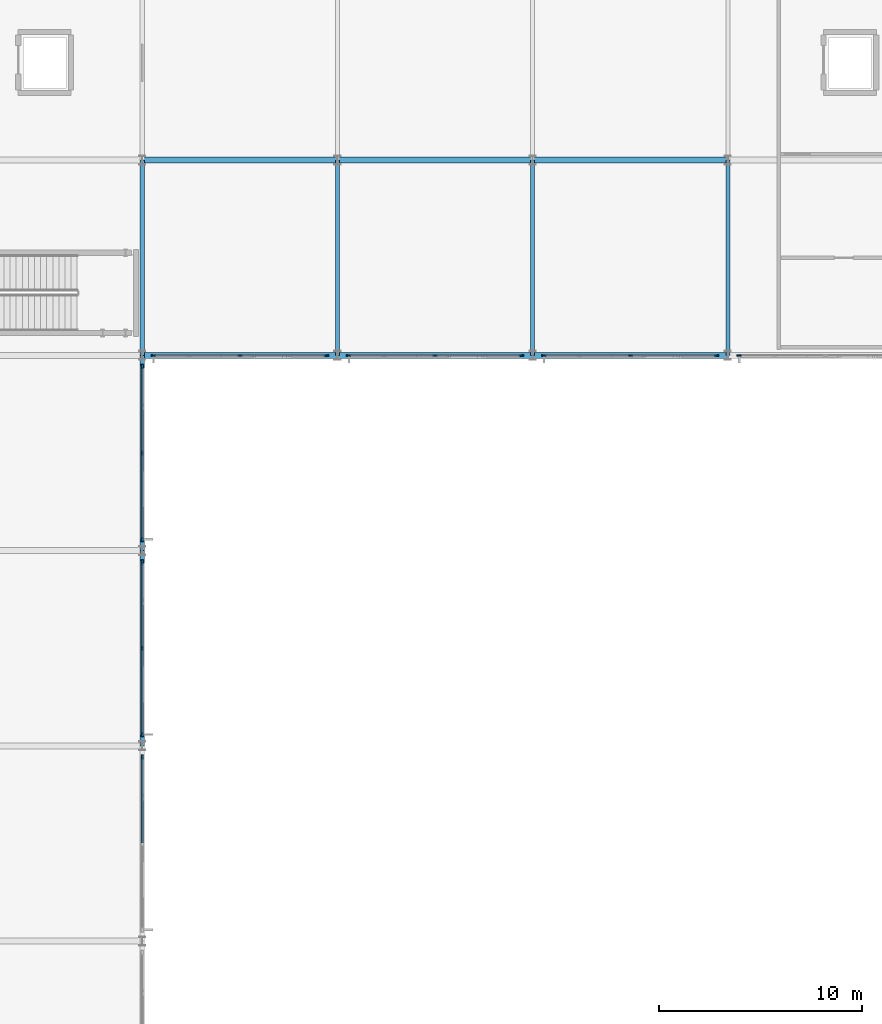
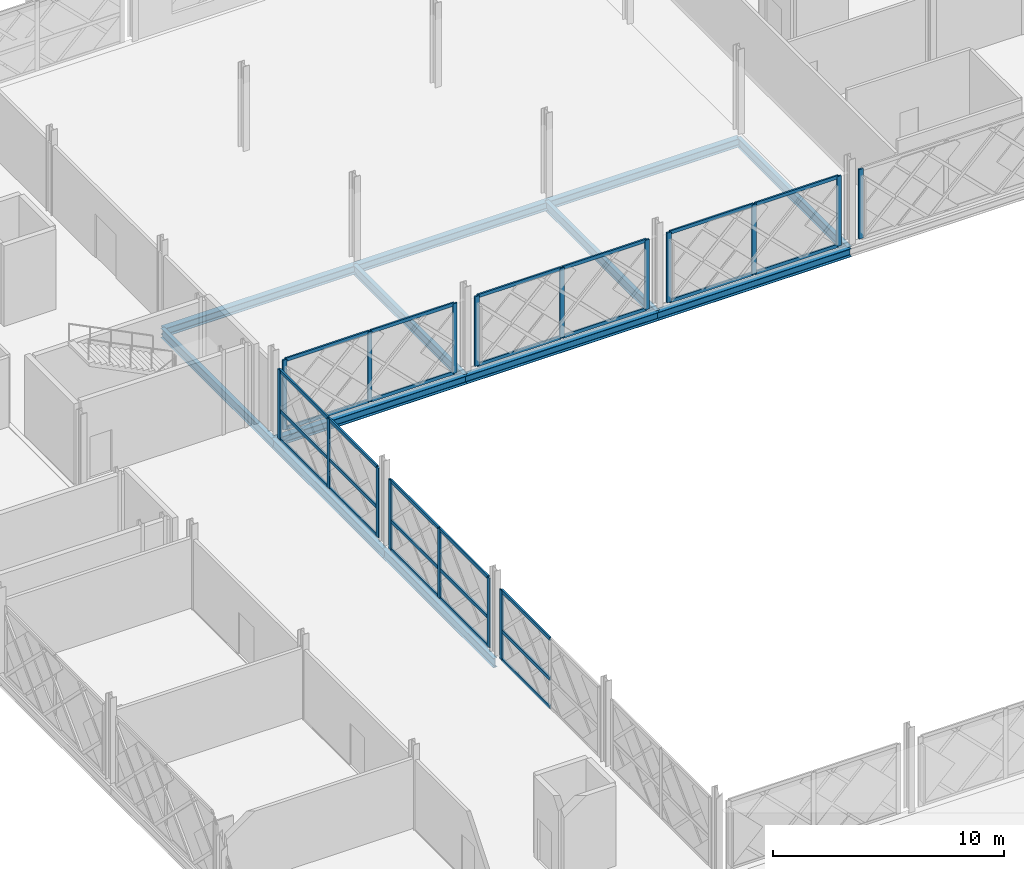
# One storey, part 47 of 101: 44 members, 12 beams, 7 elements without a shape of their own.
"""IFC4 building model written with IfcOpenShell, lengths in metres."""

import ifcopenshell
import ifcopenshell.guid

model = None  # the IFC model being written
_history = None  # IfcOwnerHistory: only IFC2X3 demands one
_inside = {}  # id of a spatial element -> (the spatial element, [elements in it])
_under = {}  # id of a project, library or spatial element -> (it, [spatial elements below it])
_declared = {}  # id of a project -> (the project, [libraries it declares])
_typed = {}  # id of a type object -> (the type object, [elements of that type])
_made_of = {}  # id of a material, layer set ... -> (it, [elements and type objects made of it])


def new_model(schema):
    """Start an empty IFC model of exactly this schema.

    Asked for "IFC4X3", IfcOpenShell would pick the latest addendum, in which some entities
    have other attributes; the version numbers below select the first issue.
    IFC2X3 requires an IfcOwnerHistory on every rooted entity: one is made here for all.
    """
    global model, _history
    if schema == "IFC4X3":
        model = ifcopenshell.file(schema_version=(4, 3, 0, 0))
    else:
        model = ifcopenshell.file(schema=schema)
    _inside.clear()
    _under.clear()
    _declared.clear()
    _typed.clear()
    _made_of.clear()
    _history = None
    if model.schema == "IFC2X3":
        org = make("IfcOrganization", Name="unknown")
        user = make(
            "IfcPersonAndOrganization",
            ThePerson=make("IfcPerson", FamilyName="unknown"),
            TheOrganization=org,
        )
        app = make(
            "IfcApplication",
            ApplicationDeveloper=org,
            Version="unknown",
            ApplicationFullName="unknown",
            ApplicationIdentifier="unknown",
        )
        _history = make(
            "IfcOwnerHistory",
            OwningUser=user,
            OwningApplication=app,
            ChangeAction="ADDED",
            CreationDate=0,
        )
    return model


def make(cls, **values):
    """One entity of the class cls with the attributes given. An attribute that is None is left unset."""
    return model.create_entity(
        cls, **{name: value for name, value in values.items() if value is not None}
    )


def rooted(cls, **values):
    """An entity with a GlobalId (a new one), such as an element, a storey or a relation."""
    return make(cls, GlobalId=ifcopenshell.guid.new(), OwnerHistory=_history, **values)


def si_unit(unit_type, name, prefix=None):
    """IfcSIUnit, for example si_unit("LENGTHUNIT", "METRE", prefix="MILLI")."""
    return make("IfcSIUnit", UnitType=unit_type, Prefix=prefix, Name=name)


def assignment(units):
    """IfcUnitAssignment: the units of a project."""
    return None if units is None else make("IfcUnitAssignment", Units=units)


def point(xyz):
    """IfcCartesianPoint."""
    return None if xyz is None else make("IfcCartesianPoint", Coordinates=xyz)


def direction(xyz):
    """IfcDirection."""
    return None if xyz is None else make("IfcDirection", DirectionRatios=xyz)


def frame(location, z_axis=None, x_axis=None):
    """IfcAxis2Placement3D, a coordinate frame: its origin and axes. An axis left out is left unset."""
    return make(
        "IfcAxis2Placement3D",
        Location=point(location),
        Axis=direction(z_axis),
        RefDirection=direction(x_axis),
    )


def frame_2d(location, x_axis=None):
    """IfcAxis2Placement2D, a coordinate frame in the plane: its origin and x axis."""
    return make(
        "IfcAxis2Placement2D", Location=point(location), RefDirection=direction(x_axis)
    )


def origin():
    """The frame at (0, 0, 0) with its axes left unset."""
    return frame((0.0, 0.0, 0.0))


def origin_2d():
    """The frame at (0, 0) in the plane with its x axis left unset."""
    return frame_2d((0.0, 0.0))


def place(relative_to, where):
    """IfcLocalPlacement: puts the frame where relative to a parent placement (None: the world)."""
    return make(
        "IfcLocalPlacement", PlacementRelTo=relative_to, RelativePlacement=where
    )


def context(
    kind, dimensions, precision=None, world=None, true_north=None, identifier=None
):
    """IfcGeometricRepresentationContext, for example the 3D "Model" context."""
    return make(
        "IfcGeometricRepresentationContext",
        ContextIdentifier=identifier,
        ContextType=kind,
        CoordinateSpaceDimension=dimensions,
        Precision=precision,
        WorldCoordinateSystem=world,
        TrueNorth=true_north,
    )


def subcontext(parent, identifier, kind, view, scale=None):
    """IfcGeometricRepresentationSubContext, for example "Body" below "Model"."""
    return make(
        "IfcGeometricRepresentationSubContext",
        ContextIdentifier=identifier,
        ContextType=kind,
        ParentContext=parent,
        TargetScale=scale,
        TargetView=view,
    )


def project(units=None, contexts=None):
    """IfcProject with its units and contexts."""
    return rooted(
        "IfcProject",
        Name="project",
        RepresentationContexts=contexts,
        UnitsInContext=assignment(units),
    )


def spatial(cls, under=None, at=None, **own):
    """A site, building, storey or space (cls), placed at a placement, below another one or the project."""
    s = rooted(cls, ObjectPlacement=at, **own)
    if under is not None:
        _under.setdefault(under.id(), (under, []))[1].append(s)
    return s


def profile(cls, at=None, kind="AREA", **sizes):
    """A parametric profile (cls). Its sizes go by their IFC names, for example OverallWidth=200.0."""
    return make(cls, ProfileType=kind, Position=at, **sizes)


def rectangle(**sizes):
    """IfcRectangleProfileDef."""
    return profile("IfcRectangleProfileDef", **sizes)


def i_section(**sizes):
    """IfcIShapeProfileDef."""
    return profile("IfcIShapeProfileDef", **sizes)


def extrude(swept, where, along, depth):
    """IfcExtrudedAreaSolid: the profile swept, set in the frame where, extruded along a direction by depth."""
    return make(
        "IfcExtrudedAreaSolid",
        SweptArea=swept,
        Position=where,
        ExtrudedDirection=direction(along),
        Depth=depth,
    )


def shape(context_of_items, identifier, shape_type, items):
    """IfcShapeRepresentation: the items that make up one representation, for example the "Body"."""
    return make(
        "IfcShapeRepresentation",
        ContextOfItems=context_of_items,
        RepresentationIdentifier=identifier,
        RepresentationType=shape_type,
        Items=items,
    )


def material(Name=None, Category=None):
    """IfcMaterial."""
    return make("IfcMaterial", Name=Name, Category=Category)


def layer(
    of_material, thickness, ventilated=None, Name=None, Category=None, Priority=None
):
    """IfcMaterialLayer: one layer of a wall or slab, of a material (None: an air gap)."""
    return make(
        "IfcMaterialLayer",
        Material=of_material,
        LayerThickness=thickness,
        IsVentilated=ventilated,
        Name=Name,
        Category=Category,
        Priority=Priority,
    )


def layer_set(layers, Name=None):
    """IfcMaterialLayerSet."""
    return make("IfcMaterialLayerSet", MaterialLayers=layers, LayerSetName=Name)


def material_profile(
    of_material, cross_section, Name=None, Category=None, Priority=None
):
    """IfcMaterialProfile: a cross section and its material."""
    return make(
        "IfcMaterialProfile",
        Name=Name,
        Material=of_material,
        Profile=cross_section,
        Priority=Priority,
        Category=Category,
    )


def profile_set(profiles, Name=None, composite=None):
    """IfcMaterialProfileSet."""
    return make(
        "IfcMaterialProfileSet",
        Name=Name,
        MaterialProfiles=profiles,
        CompositeProfile=composite,
    )


def made_of(thing, what):
    """Note that an element or type object is made of a material, layer set ...; save() writes the relation."""
    if what is not None:
        _made_of.setdefault(what.id(), (what, []))[1].append(thing)
    return thing


def type_object(cls, material=None, **own):
    """A type object (cls), such as IfcWallType, which elements share."""
    return made_of(rooted(cls, **own), material)


def element(
    cls,
    number,
    at=None,
    inside=None,
    cuts=None,
    type_object=None,
    material=None,
    context=None,
    identifier="Body",
    shape_type=None,
    held_by="IfcProductDefinitionShape",
    body=None,
    shapes=None,
    **own,
):
    """One element of the class cls, such as IfcWall. Its Tag is "e" and its number.

    at: its placement. inside: the storey or other place that contains it. cuts: it is an
    opening in that element (IfcRelVoidsElement). A single representation is given by context,
    identifier, shape_type and body (its items); several are given by shapes. held_by: the class
    of the entity that holds the representations. save() writes the other relations.
    """
    e = rooted(cls, Tag="e%d" % number, ObjectPlacement=at, **own)
    if body is not None:
        shapes = [shape(context, identifier, shape_type, body)]
    if shapes is not None:
        e.Representation = make(held_by, Representations=shapes)
    if inside is not None:
        _inside.setdefault(inside.id(), (inside, []))[1].append(e)
    if cuts is not None:
        rooted(
            "IfcRelVoidsElement", RelatingBuildingElement=cuts, RelatedOpeningElement=e
        )
    if type_object is not None:
        _typed.setdefault(type_object.id(), (type_object, []))[1].append(e)
    return made_of(e, material)


def aggregate(whole, parts):
    """IfcRelAggregates: a whole, such as a stair, and the parts it consists of."""
    return rooted("IfcRelAggregates", RelatingObject=whole, RelatedObjects=parts)


def save(model, path):
    """Write the relations noted so far, then the file.

    IfcRelAggregates (storeys below a building ...), IfcRelContainedInSpatialStructure (elements
    in a storey), IfcRelDefinesByType, IfcRelAssociatesMaterial and IfcRelDeclares: one each for
    every whole, place, type object, material and project.
    """
    for whole, parts in _under.values():
        aggregate(whole, parts)
    for where, things in _inside.values():
        rooted(
            "IfcRelContainedInSpatialStructure",
            RelatedElements=things,
            RelatingStructure=where,
        )
    for kind, things in _typed.values():
        rooted("IfcRelDefinesByType", RelatedObjects=things, RelatingType=kind)
    for what, things in _made_of.values():
        rooted("IfcRelAssociatesMaterial", RelatedObjects=things, RelatingMaterial=what)
    for by, libraries in _declared.values():
        rooted("IfcRelDeclares", RelatingContext=by, RelatedDefinitions=libraries)
    model.write(path)


model = new_model("IFC4")

# Units and contexts
model_context = context("Model", 3, precision=1e-05, world=origin(), true_north=direction((0.0, 1.0)))
body_context = subcontext(model_context, "Body", "Model", "MODEL_VIEW")
ifc_project = project(units=[si_unit("LENGTHUNIT", "METRE"), si_unit("AREAUNIT", "SQUARE_METRE"), si_unit("VOLUMEUNIT", "CUBIC_METRE"), si_unit("PLANEANGLEUNIT", "RADIAN"), si_unit("MASSUNIT", "GRAM", prefix="KILO")], contexts=[model_context])

# Site, building, storey
site_placement = place(None, origin())
site = spatial("IfcSite", under=ifc_project, at=site_placement, CompositionType="ELEMENT")
building_placement = place(site_placement, origin())
building = spatial("IfcBuilding", under=site, at=building_placement, Name="Zevrakil Square Congress Hotel", CompositionType="ELEMENT")
storey_placement = place(building_placement, frame((0.0, 0.0, 5.39990234375)))
storey = spatial("IfcBuildingStorey", under=building, at=storey_placement, Name="L02", CompositionType="ELEMENT", Elevation=5.39990234375)

# Beams
ifc_material_1 = material(Name="Steel S355", Category="steel")
ifc_material_profile_1 = material_profile(ifc_material_1, i_section(OverallWidth=0.300048828125, OverallDepth=0.43994140625, WebThickness=0.011474609375, FlangeThickness=0.02099609375, FilletRadius=0.027099609375, at=origin_2d()), Name="HEA 450")
ifc_profile_set_1 = profile_set([ifc_material_profile_1], Name="Steel S355")
beam_type_1 = type_object("IfcBeamType", Name="BM-HEA450", PredefinedType="BEAM", material=ifc_profile_set_1)
beam_1_placement = place(storey_placement, frame((64.800048828125, 84.0, -0.47998046875), z_axis=(1.0, 0.0, 0.0), x_axis=(0.0, 1.0, 0.0)))
element("IfcBeam", 1, at=beam_1_placement, inside=storey, type_object=beam_type_1, Name="L02 primary girder BX-0772", PredefinedType="BEAM", context=body_context, shape_type="SweptSolid", body=[
    extrude(i_section(OverallWidth=0.300048828125, OverallDepth=0.43994140625, WebThickness=0.011474609375, FlangeThickness=0.02099609375, FilletRadius=0.027099609375, at=origin_2d()), origin(), (0.0, 0.0, 1.0), 9.599853515625),
])
for number, where, z_axis, x_axis, name in (
    (2, (74.39990234375, 84.0, -0.47998046875), (1.0, 0.0, 0.0), (0.0, 1.0, 0.0), "L02 primary girder BX-0773"),
    (3, (84.0, 84.0, -0.47998046875), (1.0, 0.0, 0.0), (0.0, 1.0, 0.0), "L02 primary girder BX-0774"),
):
    element("IfcBeam", number, at=place(storey_placement, frame(where, z_axis=z_axis, x_axis=x_axis)), inside=storey, type_object=beam_type_1, Name=name, PredefinedType="BEAM", context=body_context, shape_type="SweptSolid", body=[
        extrude(i_section(OverallWidth=0.300048828125, OverallDepth=0.43994140625, WebThickness=0.011474609375, FlangeThickness=0.02099609375, FilletRadius=0.027099609375, at=origin_2d()), origin(), (0.0, 0.0, 1.0), 9.60009765625),
    ])
beam_2_placement = place(storey_placement, frame((64.800048828125, 93.60009765625, -0.47998046875), z_axis=(1.0, 0.0, 0.0), x_axis=(0.0, 1.0, 0.0)))
element("IfcBeam", 4, at=beam_2_placement, inside=storey, type_object=beam_type_1, Name="L02 primary girder BX-0782", PredefinedType="BEAM", context=body_context, shape_type="SweptSolid", body=[
    extrude(i_section(OverallWidth=0.300048828125, OverallDepth=0.43994140625, WebThickness=0.011474609375, FlangeThickness=0.02099609375, FilletRadius=0.027099609375, at=origin_2d()), origin(), (0.0, 0.0, 1.0), 9.599853515625),
])
for number, where, z_axis, x_axis, name in (
    (5, (74.39990234375, 93.60009765625, -0.47998046875), (1.0, 0.0, 0.0), (0.0, 1.0, 0.0), "L02 primary girder BX-0783"),
    (6, (84.0, 93.60009765625, -0.47998046875), (1.0, 0.0, 0.0), (0.0, 1.0, 0.0), "L02 primary girder BX-0784"),
):
    element("IfcBeam", number, at=place(storey_placement, frame(where, z_axis=z_axis, x_axis=x_axis)), inside=storey, type_object=beam_type_1, Name=name, PredefinedType="BEAM", context=body_context, shape_type="SweptSolid", body=[
        extrude(i_section(OverallWidth=0.300048828125, OverallDepth=0.43994140625, WebThickness=0.011474609375, FlangeThickness=0.02099609375, FilletRadius=0.027099609375, at=origin_2d()), origin(), (0.0, 0.0, 1.0), 9.60009765625),
    ])
ifc_material_2 = material(Name="Steel S355", Category="steel")
ifc_material_profile_2 = material_profile(ifc_material_2, i_section(OverallWidth=0.199951171875, OverallDepth=0.5, WebThickness=0.01025390625, FlangeThickness=0.01611328125, FilletRadius=0.02099609375, at=origin_2d()), Name="IPE 500")
ifc_profile_set_2 = profile_set([ifc_material_profile_2], Name="Steel S355")
beam_type_2 = type_object("IfcBeamType", Name="BM-IPE500", PredefinedType="BEAM", material=ifc_profile_set_2)
beam_3_placement = place(storey_placement, frame((64.800048828125, 64.800048828125, -0.510009765625), z_axis=(0.0, 1.0, 0.0), x_axis=(-1.0, 0.0, 0.0)))
element("IfcBeam", 7, at=beam_3_placement, inside=storey, type_object=beam_type_2, Name="L02 primary girder BY-0873", PredefinedType="BEAM", context=body_context, shape_type="SweptSolid", body=[
    extrude(i_section(OverallWidth=0.199951171875, OverallDepth=0.5, WebThickness=0.01025390625, FlangeThickness=0.01611328125, FilletRadius=0.02099609375, at=origin_2d()), origin(), (0.0, 0.0, 1.0), 9.599853515625),
])
for number, where, z_axis, x_axis, name in (
    (8, (64.800048828125, 74.39990234375, -0.510009765625), (0.0, 1.0, 0.0), (-1.0, 0.0, 0.0), "L02 primary girder BY-0874"),
    (9, (64.800048828125, 84.0, -0.510009765625), (0.0, 1.0, 0.0), (-1.0, 0.0, 0.0), "L02 primary girder BY-0875"),
    (10, (74.39990234375, 84.0, -0.510009765625), (0.0, 1.0, 0.0), (-1.0, 0.0, 0.0), "L02 primary girder BY-0883"),
    (11, (84.0, 84.0, -0.510009765625), (0.0, 1.0, 0.0), (-1.0, 0.0, 0.0), "L02 primary girder BY-0889"),
    (12, (93.60009765625, 84.0, -0.510009765625), (0.0, 1.0, 0.0), (-1.0, 0.0, 0.0), "L02 primary girder BY-0897"),
):
    element("IfcBeam", number, at=place(storey_placement, frame(where, z_axis=z_axis, x_axis=x_axis)), inside=storey, type_object=beam_type_2, Name=name, PredefinedType="BEAM", context=body_context, shape_type="SweptSolid", body=[
        extrude(i_section(OverallWidth=0.199951171875, OverallDepth=0.5, WebThickness=0.01025390625, FlangeThickness=0.01611328125, FilletRadius=0.02099609375, at=origin_2d()), origin(), (0.0, 0.0, 1.0), 9.60009765625),
    ])

# Curtain wall, members
ifc_material_3 = material(Name="Aluminium Anodised Bronze", Category="aluminium")
ifc_layer = layer(ifc_material_3, 0.179931640625)
ifc_layer_set = layer_set([ifc_layer], Name="Aluminium Anodised Bronze")
curtain_wall_type = type_object("IfcCurtainWallType", Name="CW-L02-840", PredefinedType="USERDEFINED", material=ifc_layer_set)
curtain_wall_1_placement = place(storey_placement, origin())
curtain_wall_1 = element("IfcCurtainWall", 13, at=curtain_wall_1_placement, inside=storey, type_object=curtain_wall_type, Name="L02 diamond curtain wall CW-L02-0101", ObjectType="GLAZED CURTAIN WALL", PredefinedType="USERDEFINED")
ifc_material_4 = material(Name="Aluminium Anodised Bronze", Category="aluminium")
ifc_material_profile_3 = material_profile(ifc_material_4, rectangle(XDim=0.0849609375, YDim=0.179931640625, at=origin_2d()), Name="ALU 85x180")
ifc_profile_set_3 = profile_set([ifc_material_profile_3], Name="Aluminium Anodised Bronze")
member_type_1 = type_object("IfcMemberType", Name="CWM-ALU85x180", PredefinedType="USERDEFINED", material=ifc_profile_set_3)
member_1_placement = place(storey_placement, frame((65.3798828125, 84.0, 0.030029296875), z_axis=(1.0, 0.0, 0.0), x_axis=(0.0, 1.0, 0.0)))
member_1 = element("IfcMember", 14, at=member_1_placement, type_object=member_type_1, Name="CW-23 transom 1.1", ObjectType="TRANSOM", PredefinedType="USERDEFINED", context=body_context, shape_type="SweptSolid", body=[
    extrude(rectangle(XDim=0.0849609375, YDim=0.179931640625, at=origin_2d()), origin(), (0.0, 0.0, 1.0), 4.190185546875),
])
member_2_placement = place(storey_placement, frame((65.3798828125, 84.0, 3.655029296875), z_axis=(1.0, 0.0, 0.0), x_axis=(0.0, 1.0, 0.0)))
member_2 = element("IfcMember", 15, at=member_2_placement, type_object=member_type_1, Name="CW-23 transom 1.2", ObjectType="TRANSOM", PredefinedType="USERDEFINED", context=body_context, shape_type="SweptSolid", body=[
    extrude(rectangle(XDim=0.0849609375, YDim=0.179931640625, at=origin_2d()), origin(), (0.0, 0.0, 1.0), 4.190185546875),
])
member_3_placement = place(storey_placement, frame((69.6298828125, 84.0, 0.030029296875), z_axis=(1.0, 0.0, 0.0), x_axis=(0.0, 1.0, 0.0)))
member_3 = element("IfcMember", 16, at=member_3_placement, type_object=member_type_1, Name="CW-23 transom 2.1", ObjectType="TRANSOM", PredefinedType="USERDEFINED", context=body_context, shape_type="SweptSolid", body=[
    extrude(rectangle(XDim=0.0849609375, YDim=0.179931640625, at=origin_2d()), origin(), (0.0, 0.0, 1.0), 4.190185546875),
])
member_4_placement = place(storey_placement, frame((69.6298828125, 84.0, 3.655029296875), z_axis=(1.0, 0.0, 0.0), x_axis=(0.0, 1.0, 0.0)))
member_4 = element("IfcMember", 17, at=member_4_placement, type_object=member_type_1, Name="CW-23 transom 2.2", ObjectType="TRANSOM", PredefinedType="USERDEFINED", context=body_context, shape_type="SweptSolid", body=[
    extrude(rectangle(XDim=0.0849609375, YDim=0.179931640625, at=origin_2d()), origin(), (0.0, 0.0, 1.0), 4.190185546875),
])

curtain_wall_2_placement = place(storey_placement, origin())
curtain_wall_2 = element("IfcCurtainWall", 18, at=curtain_wall_2_placement, inside=storey, type_object=curtain_wall_type, Name="L02 diamond curtain wall CW-L02-0105", ObjectType="GLAZED CURTAIN WALL", PredefinedType="USERDEFINED")
member_5_placement = place(storey_placement, frame((74.97998046875, 84.0, 0.030029296875), z_axis=(1.0, 0.0, 0.0), x_axis=(0.0, 1.0, 0.0)))
member_5 = element("IfcMember", 19, at=member_5_placement, type_object=member_type_1, Name="CW-23 transom 1.1", ObjectType="TRANSOM", PredefinedType="USERDEFINED", context=body_context, shape_type="SweptSolid", body=[
    extrude(rectangle(XDim=0.0849609375, YDim=0.179931640625, at=origin_2d()), origin(), (0.0, 0.0, 1.0), 4.18994140625),
])
member_6_placement = place(storey_placement, frame((74.97998046875, 84.0, 3.655029296875), z_axis=(1.0, 0.0, 0.0), x_axis=(0.0, 1.0, 0.0)))
member_6 = element("IfcMember", 20, at=member_6_placement, type_object=member_type_1, Name="CW-23 transom 1.2", ObjectType="TRANSOM", PredefinedType="USERDEFINED", context=body_context, shape_type="SweptSolid", body=[
    extrude(rectangle(XDim=0.0849609375, YDim=0.179931640625, at=origin_2d()), origin(), (0.0, 0.0, 1.0), 4.18994140625),
])
member_7_placement = place(storey_placement, frame((79.22998046875, 84.0, 0.030029296875), z_axis=(1.0, 0.0, 0.0), x_axis=(0.0, 1.0, 0.0)))
member_7 = element("IfcMember", 21, at=member_7_placement, type_object=member_type_1, Name="CW-23 transom 2.1", ObjectType="TRANSOM", PredefinedType="USERDEFINED", context=body_context, shape_type="SweptSolid", body=[
    extrude(rectangle(XDim=0.0849609375, YDim=0.179931640625, at=origin_2d()), origin(), (0.0, 0.0, 1.0), 4.18994140625),
])
member_8_placement = place(storey_placement, frame((79.22998046875, 84.0, 3.655029296875), z_axis=(1.0, 0.0, 0.0), x_axis=(0.0, 1.0, 0.0)))
member_8 = element("IfcMember", 22, at=member_8_placement, type_object=member_type_1, Name="CW-23 transom 2.2", ObjectType="TRANSOM", PredefinedType="USERDEFINED", context=body_context, shape_type="SweptSolid", body=[
    extrude(rectangle(XDim=0.0849609375, YDim=0.179931640625, at=origin_2d()), origin(), (0.0, 0.0, 1.0), 4.18994140625),
])

curtain_wall_3_placement = place(storey_placement, origin())
curtain_wall_3 = element("IfcCurtainWall", 23, at=curtain_wall_3_placement, inside=storey, type_object=curtain_wall_type, Name="L02 diamond curtain wall CW-L02-0109", ObjectType="GLAZED CURTAIN WALL", PredefinedType="USERDEFINED")
member_9_placement = place(storey_placement, frame((84.580078125, 84.0, 0.030029296875), z_axis=(1.0, 0.0, 0.0), x_axis=(0.0, 1.0, 0.0)))
member_9 = element("IfcMember", 24, at=member_9_placement, type_object=member_type_1, Name="CW-23 transom 1.1", ObjectType="TRANSOM", PredefinedType="USERDEFINED", context=body_context, shape_type="SweptSolid", body=[
    extrude(rectangle(XDim=0.0849609375, YDim=0.179931640625, at=origin_2d()), origin(), (0.0, 0.0, 1.0), 4.18994140625),
])
member_10_placement = place(storey_placement, frame((84.580078125, 84.0, 3.655029296875), z_axis=(1.0, 0.0, 0.0), x_axis=(0.0, 1.0, 0.0)))
member_10 = element("IfcMember", 25, at=member_10_placement, type_object=member_type_1, Name="CW-23 transom 1.2", ObjectType="TRANSOM", PredefinedType="USERDEFINED", context=body_context, shape_type="SweptSolid", body=[
    extrude(rectangle(XDim=0.0849609375, YDim=0.179931640625, at=origin_2d()), origin(), (0.0, 0.0, 1.0), 4.18994140625),
])
member_11_placement = place(storey_placement, frame((88.830078125, 84.0, 0.030029296875), z_axis=(1.0, 0.0, 0.0), x_axis=(0.0, 1.0, 0.0)))
member_11 = element("IfcMember", 26, at=member_11_placement, type_object=member_type_1, Name="CW-23 transom 2.1", ObjectType="TRANSOM", PredefinedType="USERDEFINED", context=body_context, shape_type="SweptSolid", body=[
    extrude(rectangle(XDim=0.0849609375, YDim=0.179931640625, at=origin_2d()), origin(), (0.0, 0.0, 1.0), 4.18994140625),
])
member_12_placement = place(storey_placement, frame((88.830078125, 84.0, 3.655029296875), z_axis=(1.0, 0.0, 0.0), x_axis=(0.0, 1.0, 0.0)))
member_12 = element("IfcMember", 27, at=member_12_placement, type_object=member_type_1, Name="CW-23 transom 2.2", ObjectType="TRANSOM", PredefinedType="USERDEFINED", context=body_context, shape_type="SweptSolid", body=[
    extrude(rectangle(XDim=0.0849609375, YDim=0.179931640625, at=origin_2d()), origin(), (0.0, 0.0, 1.0), 4.18994140625),
])

curtain_wall_4_placement = place(storey_placement, origin())
curtain_wall_4 = element("IfcCurtainWall", 28, at=curtain_wall_4_placement, inside=storey, type_object=curtain_wall_type, Name="L02 diamond curtain wall CW-L02-0126", ObjectType="GLAZED CURTAIN WALL", PredefinedType="USERDEFINED")
member_13_placement = place(storey_placement, frame((64.800048828125, 60.030029296875, 0.030029296875), z_axis=(0.0, 1.0, 0.0), x_axis=(-1.0, 0.0, 0.0)))
member_13 = element("IfcMember", 29, at=member_13_placement, type_object=member_type_1, Name="CW-23 transom 2.1", ObjectType="TRANSOM", PredefinedType="USERDEFINED", context=body_context, shape_type="SweptSolid", body=[
    extrude(rectangle(XDim=0.0849609375, YDim=0.179931640625, at=origin_2d()), origin(), (0.0, 0.0, 1.0), 4.18994140625),
])
member_14_placement = place(storey_placement, frame((64.800048828125, 60.030029296875, 1.543701171875), z_axis=(0.0, 1.0, 0.0), x_axis=(-1.0, 0.0, 0.0)))
member_14 = element("IfcMember", 30, at=member_14_placement, type_object=member_type_1, Name="CW-23 transom 2.2", ObjectType="TRANSOM", PredefinedType="USERDEFINED", context=body_context, shape_type="SweptSolid", body=[
    extrude(rectangle(XDim=0.0849609375, YDim=0.179931640625, at=origin_2d()), origin(), (0.0, 0.0, 1.0), 4.18994140625),
])
member_15_placement = place(storey_placement, frame((64.800048828125, 60.030029296875, 3.64501953125), z_axis=(0.0, 1.0, 0.0), x_axis=(-1.0, 0.0, 0.0)))
member_15 = element("IfcMember", 31, at=member_15_placement, type_object=member_type_1, Name="CW-23 transom 2.3", ObjectType="TRANSOM", PredefinedType="USERDEFINED", context=body_context, shape_type="SweptSolid", body=[
    extrude(rectangle(XDim=0.0849609375, YDim=0.179931640625, at=origin_2d()), origin(), (0.0, 0.0, 1.0), 4.18994140625),
])

curtain_wall_5_placement = place(storey_placement, origin())
curtain_wall_5 = element("IfcCurtainWall", 32, at=curtain_wall_5_placement, inside=storey, type_object=curtain_wall_type, Name="L02 diamond curtain wall CW-L02-0132", ObjectType="GLAZED CURTAIN WALL", PredefinedType="USERDEFINED")
member_16_placement = place(storey_placement, frame((64.800048828125, 65.3798828125, 0.030029296875), z_axis=(0.0, 1.0, 0.0), x_axis=(-1.0, 0.0, 0.0)))
member_16 = element("IfcMember", 33, at=member_16_placement, type_object=member_type_1, Name="CW-23 transom 1.1", ObjectType="TRANSOM", PredefinedType="USERDEFINED", context=body_context, shape_type="SweptSolid", body=[
    extrude(rectangle(XDim=0.0849609375, YDim=0.179931640625, at=origin_2d()), origin(), (0.0, 0.0, 1.0), 4.190185546875),
])
member_17_placement = place(storey_placement, frame((64.800048828125, 65.3798828125, 1.543701171875), z_axis=(0.0, 1.0, 0.0), x_axis=(-1.0, 0.0, 0.0)))
member_17 = element("IfcMember", 34, at=member_17_placement, type_object=member_type_1, Name="CW-23 transom 1.2", ObjectType="TRANSOM", PredefinedType="USERDEFINED", context=body_context, shape_type="SweptSolid", body=[
    extrude(rectangle(XDim=0.0849609375, YDim=0.179931640625, at=origin_2d()), origin(), (0.0, 0.0, 1.0), 4.190185546875),
])
member_18_placement = place(storey_placement, frame((64.800048828125, 65.3798828125, 3.64501953125), z_axis=(0.0, 1.0, 0.0), x_axis=(-1.0, 0.0, 0.0)))
member_18 = element("IfcMember", 35, at=member_18_placement, type_object=member_type_1, Name="CW-23 transom 1.3", ObjectType="TRANSOM", PredefinedType="USERDEFINED", context=body_context, shape_type="SweptSolid", body=[
    extrude(rectangle(XDim=0.0849609375, YDim=0.179931640625, at=origin_2d()), origin(), (0.0, 0.0, 1.0), 4.190185546875),
])
member_19_placement = place(storey_placement, frame((64.800048828125, 69.6298828125, 0.030029296875), z_axis=(0.0, 1.0, 0.0), x_axis=(-1.0, 0.0, 0.0)))
member_19 = element("IfcMember", 36, at=member_19_placement, type_object=member_type_1, Name="CW-23 transom 2.1", ObjectType="TRANSOM", PredefinedType="USERDEFINED", context=body_context, shape_type="SweptSolid", body=[
    extrude(rectangle(XDim=0.0849609375, YDim=0.179931640625, at=origin_2d()), origin(), (0.0, 0.0, 1.0), 4.190185546875),
])
member_20_placement = place(storey_placement, frame((64.800048828125, 69.6298828125, 1.543701171875), z_axis=(0.0, 1.0, 0.0), x_axis=(-1.0, 0.0, 0.0)))
member_20 = element("IfcMember", 37, at=member_20_placement, type_object=member_type_1, Name="CW-23 transom 2.2", ObjectType="TRANSOM", PredefinedType="USERDEFINED", context=body_context, shape_type="SweptSolid", body=[
    extrude(rectangle(XDim=0.0849609375, YDim=0.179931640625, at=origin_2d()), origin(), (0.0, 0.0, 1.0), 4.190185546875),
])
member_21_placement = place(storey_placement, frame((64.800048828125, 69.6298828125, 3.64501953125), z_axis=(0.0, 1.0, 0.0), x_axis=(-1.0, 0.0, 0.0)))
member_21 = element("IfcMember", 38, at=member_21_placement, type_object=member_type_1, Name="CW-23 transom 2.3", ObjectType="TRANSOM", PredefinedType="USERDEFINED", context=body_context, shape_type="SweptSolid", body=[
    extrude(rectangle(XDim=0.0849609375, YDim=0.179931640625, at=origin_2d()), origin(), (0.0, 0.0, 1.0), 4.190185546875),
])

curtain_wall_6_placement = place(storey_placement, origin())
curtain_wall_6 = element("IfcCurtainWall", 39, at=curtain_wall_6_placement, inside=storey, type_object=curtain_wall_type, Name="L02 diamond curtain wall CW-L02-0138", ObjectType="GLAZED CURTAIN WALL", PredefinedType="USERDEFINED")
member_22_placement = place(storey_placement, frame((64.800048828125, 74.97998046875, 0.030029296875), z_axis=(0.0, 1.0, 0.0), x_axis=(-1.0, 0.0, 0.0)))
member_22 = element("IfcMember", 40, at=member_22_placement, type_object=member_type_1, Name="CW-23 transom 1.1", ObjectType="TRANSOM", PredefinedType="USERDEFINED", context=body_context, shape_type="SweptSolid", body=[
    extrude(rectangle(XDim=0.0849609375, YDim=0.179931640625, at=origin_2d()), origin(), (0.0, 0.0, 1.0), 4.18994140625),
])
member_23_placement = place(storey_placement, frame((64.800048828125, 74.97998046875, 1.543701171875), z_axis=(0.0, 1.0, 0.0), x_axis=(-1.0, 0.0, 0.0)))
member_23 = element("IfcMember", 41, at=member_23_placement, type_object=member_type_1, Name="CW-23 transom 1.2", ObjectType="TRANSOM", PredefinedType="USERDEFINED", context=body_context, shape_type="SweptSolid", body=[
    extrude(rectangle(XDim=0.0849609375, YDim=0.179931640625, at=origin_2d()), origin(), (0.0, 0.0, 1.0), 4.18994140625),
])
member_24_placement = place(storey_placement, frame((64.800048828125, 74.97998046875, 3.64501953125), z_axis=(0.0, 1.0, 0.0), x_axis=(-1.0, 0.0, 0.0)))
member_24 = element("IfcMember", 42, at=member_24_placement, type_object=member_type_1, Name="CW-23 transom 1.3", ObjectType="TRANSOM", PredefinedType="USERDEFINED", context=body_context, shape_type="SweptSolid", body=[
    extrude(rectangle(XDim=0.0849609375, YDim=0.179931640625, at=origin_2d()), origin(), (0.0, 0.0, 1.0), 4.18994140625),
])
member_25_placement = place(storey_placement, frame((64.800048828125, 79.22998046875, 0.030029296875), z_axis=(0.0, 1.0, 0.0), x_axis=(-1.0, 0.0, 0.0)))
member_25 = element("IfcMember", 43, at=member_25_placement, type_object=member_type_1, Name="CW-23 transom 2.1", ObjectType="TRANSOM", PredefinedType="USERDEFINED", context=body_context, shape_type="SweptSolid", body=[
    extrude(rectangle(XDim=0.0849609375, YDim=0.179931640625, at=origin_2d()), origin(), (0.0, 0.0, 1.0), 4.18994140625),
])
member_26_placement = place(storey_placement, frame((64.800048828125, 79.22998046875, 1.543701171875), z_axis=(0.0, 1.0, 0.0), x_axis=(-1.0, 0.0, 0.0)))
member_26 = element("IfcMember", 44, at=member_26_placement, type_object=member_type_1, Name="CW-23 transom 2.2", ObjectType="TRANSOM", PredefinedType="USERDEFINED", context=body_context, shape_type="SweptSolid", body=[
    extrude(rectangle(XDim=0.0849609375, YDim=0.179931640625, at=origin_2d()), origin(), (0.0, 0.0, 1.0), 4.18994140625),
])
member_27_placement = place(storey_placement, frame((64.800048828125, 79.22998046875, 3.64501953125), z_axis=(0.0, 1.0, 0.0), x_axis=(-1.0, 0.0, 0.0)))
member_27 = element("IfcMember", 45, at=member_27_placement, type_object=member_type_1, Name="CW-23 transom 2.3", ObjectType="TRANSOM", PredefinedType="USERDEFINED", context=body_context, shape_type="SweptSolid", body=[
    extrude(rectangle(XDim=0.0849609375, YDim=0.179931640625, at=origin_2d()), origin(), (0.0, 0.0, 1.0), 4.18994140625),
])

# Member
ifc_material_5 = material(Name="Aluminium Anodised Bronze", Category="aluminium")
ifc_material_profile_4 = material_profile(ifc_material_5, rectangle(XDim=0.0849609375, YDim=0.219970703125, at=origin_2d()), Name="ALU 85x220")
ifc_profile_set_4 = profile_set([ifc_material_profile_4], Name="Aluminium Anodised Bronze")
member_type_2 = type_object("IfcMemberType", Name="CWM-ALU85x220", PredefinedType="MULLION", material=ifc_profile_set_4)
member_28_placement = place(storey_placement, frame((65.35009765625, 84.0, 0.0), z_axis=(0.0, 0.0, 1.0), x_axis=(0.0, 1.0, 0.0)))
member_28 = element("IfcMember", 46, at=member_28_placement, type_object=member_type_2, Name="CW-23 mullion 1", PredefinedType="MULLION", context=body_context, shape_type="SweptSolid", body=[
    extrude(rectangle(XDim=0.0849609375, YDim=0.219970703125, at=origin_2d()), origin(), (0.0, 0.0, 1.0), 3.68505859375),
])

member_29_placement = place(storey_placement, frame((69.60009765625, 84.0, 0.0), z_axis=(0.0, 0.0, 1.0), x_axis=(0.0, 1.0, 0.0)))
member_29 = element("IfcMember", 47, at=member_29_placement, type_object=member_type_2, Name="CW-23 mullion 2", PredefinedType="MULLION", context=body_context, shape_type="SweptSolid", body=[
    extrude(rectangle(XDim=0.0849609375, YDim=0.219970703125, at=origin_2d()), origin(), (0.0, 0.0, 1.0), 3.68505859375),
])

member_30_placement = place(storey_placement, frame((73.85009765625, 84.0, 0.0), z_axis=(0.0, 0.0, 1.0), x_axis=(0.0, 1.0, 0.0)))
member_30 = element("IfcMember", 48, at=member_30_placement, type_object=member_type_2, Name="CW-23 mullion 3", PredefinedType="MULLION", context=body_context, shape_type="SweptSolid", body=[
    extrude(rectangle(XDim=0.0849609375, YDim=0.219970703125, at=origin_2d()), origin(), (0.0, 0.0, 1.0), 3.68505859375),
])

aggregate(curtain_wall_1, [member_28, member_29, member_30, member_1, member_2, member_3, member_4])

member_31_placement = place(storey_placement, frame((74.949951171875, 84.0, 0.0), z_axis=(0.0, 0.0, 1.0), x_axis=(0.0, 1.0, 0.0)))
member_31 = element("IfcMember", 49, at=member_31_placement, type_object=member_type_2, Name="CW-23 mullion 1", PredefinedType="MULLION", context=body_context, shape_type="SweptSolid", body=[
    extrude(rectangle(XDim=0.0849609375, YDim=0.219970703125, at=origin_2d()), origin(), (0.0, 0.0, 1.0), 3.68505859375),
])

member_32_placement = place(storey_placement, frame((79.199951171875, 84.0, 0.0), z_axis=(0.0, 0.0, 1.0), x_axis=(0.0, 1.0, 0.0)))
member_32 = element("IfcMember", 50, at=member_32_placement, type_object=member_type_2, Name="CW-23 mullion 2", PredefinedType="MULLION", context=body_context, shape_type="SweptSolid", body=[
    extrude(rectangle(XDim=0.0849609375, YDim=0.219970703125, at=origin_2d()), origin(), (0.0, 0.0, 1.0), 3.68505859375),
])

member_33_placement = place(storey_placement, frame((83.449951171875, 84.0, 0.0), z_axis=(0.0, 0.0, 1.0), x_axis=(0.0, 1.0, 0.0)))
member_33 = element("IfcMember", 51, at=member_33_placement, type_object=member_type_2, Name="CW-23 mullion 3", PredefinedType="MULLION", context=body_context, shape_type="SweptSolid", body=[
    extrude(rectangle(XDim=0.0849609375, YDim=0.219970703125, at=origin_2d()), origin(), (0.0, 0.0, 1.0), 3.68505859375),
])

aggregate(curtain_wall_2, [member_31, member_32, member_33, member_5, member_6, member_7, member_8])

member_34_placement = place(storey_placement, frame((84.550048828125, 84.0, 0.0), z_axis=(0.0, 0.0, 1.0), x_axis=(0.0, 1.0, 0.0)))
member_34 = element("IfcMember", 52, at=member_34_placement, type_object=member_type_2, Name="CW-23 mullion 1", PredefinedType="MULLION", context=body_context, shape_type="SweptSolid", body=[
    extrude(rectangle(XDim=0.0849609375, YDim=0.219970703125, at=origin_2d()), origin(), (0.0, 0.0, 1.0), 3.68505859375),
])

member_35_placement = place(storey_placement, frame((88.800048828125, 84.0, 0.0), z_axis=(0.0, 0.0, 1.0), x_axis=(0.0, 1.0, 0.0)))
member_35 = element("IfcMember", 53, at=member_35_placement, type_object=member_type_2, Name="CW-23 mullion 2", PredefinedType="MULLION", context=body_context, shape_type="SweptSolid", body=[
    extrude(rectangle(XDim=0.0849609375, YDim=0.219970703125, at=origin_2d()), origin(), (0.0, 0.0, 1.0), 3.68505859375),
])

member_36_placement = place(storey_placement, frame((93.050048828125, 84.0, 0.0), z_axis=(0.0, 0.0, 1.0), x_axis=(0.0, 1.0, 0.0)))
member_36 = element("IfcMember", 54, at=member_36_placement, type_object=member_type_2, Name="CW-23 mullion 3", PredefinedType="MULLION", context=body_context, shape_type="SweptSolid", body=[
    extrude(rectangle(XDim=0.0849609375, YDim=0.219970703125, at=origin_2d()), origin(), (0.0, 0.0, 1.0), 3.68505859375),
])

aggregate(curtain_wall_3, [member_34, member_35, member_36, member_9, member_10, member_11, member_12])

# Curtain wall, member
curtain_wall_7_placement = place(storey_placement, origin())
curtain_wall_7 = element("IfcCurtainWall", 55, at=curtain_wall_7_placement, inside=storey, type_object=curtain_wall_type, Name="L02 diamond curtain wall CW-L02-0113", ObjectType="GLAZED CURTAIN WALL", PredefinedType="USERDEFINED")
member_37_placement = place(storey_placement, frame((94.14990234375, 84.0, 0.0), z_axis=(0.0, 0.0, 1.0), x_axis=(0.0, 1.0, 0.0)))
member_37 = element("IfcMember", 56, at=member_37_placement, type_object=member_type_2, Name="CW-23 mullion 1", PredefinedType="MULLION", context=body_context, shape_type="SweptSolid", body=[
    extrude(rectangle(XDim=0.0849609375, YDim=0.219970703125, at=origin_2d()), origin(), (0.0, 0.0, 1.0), 3.68505859375),
])
aggregate(curtain_wall_7, [member_37])

# Member
member_38_placement = place(storey_placement, frame((64.800048828125, 64.25, 0.0), z_axis=(0.0, 0.0, 1.0), x_axis=(-1.0, 0.0, 0.0)))
member_38 = element("IfcMember", 57, at=member_38_placement, type_object=member_type_2, Name="CW-23 mullion 3", PredefinedType="MULLION", context=body_context, shape_type="SweptSolid", body=[
    extrude(rectangle(XDim=0.0849609375, YDim=0.219970703125, at=origin_2d()), origin(), (0.0, 0.0, 1.0), 3.675048828125),
])

aggregate(curtain_wall_4, [member_38, member_13, member_14, member_15])

member_39_placement = place(storey_placement, frame((64.800048828125, 65.35009765625, 0.0), z_axis=(0.0, 0.0, 1.0), x_axis=(-1.0, 0.0, 0.0)))
member_39 = element("IfcMember", 58, at=member_39_placement, type_object=member_type_2, Name="CW-23 mullion 1", PredefinedType="MULLION", context=body_context, shape_type="SweptSolid", body=[
    extrude(rectangle(XDim=0.0849609375, YDim=0.219970703125, at=origin_2d()), origin(), (0.0, 0.0, 1.0), 3.675048828125),
])

member_40_placement = place(storey_placement, frame((64.800048828125, 69.60009765625, 0.0), z_axis=(0.0, 0.0, 1.0), x_axis=(-1.0, 0.0, 0.0)))
member_40 = element("IfcMember", 59, at=member_40_placement, type_object=member_type_2, Name="CW-23 mullion 2", PredefinedType="MULLION", context=body_context, shape_type="SweptSolid", body=[
    extrude(rectangle(XDim=0.0849609375, YDim=0.219970703125, at=origin_2d()), origin(), (0.0, 0.0, 1.0), 3.675048828125),
])

member_41_placement = place(storey_placement, frame((64.800048828125, 73.85009765625, 0.0), z_axis=(0.0, 0.0, 1.0), x_axis=(-1.0, 0.0, 0.0)))
member_41 = element("IfcMember", 60, at=member_41_placement, type_object=member_type_2, Name="CW-23 mullion 3", PredefinedType="MULLION", context=body_context, shape_type="SweptSolid", body=[
    extrude(rectangle(XDim=0.0849609375, YDim=0.219970703125, at=origin_2d()), origin(), (0.0, 0.0, 1.0), 3.675048828125),
])

aggregate(curtain_wall_5, [member_39, member_40, member_41, member_16, member_17, member_18, member_19, member_20, member_21])

member_42_placement = place(storey_placement, frame((64.800048828125, 74.949951171875, 0.0), z_axis=(0.0, 0.0, 1.0), x_axis=(-1.0, 0.0, 0.0)))
member_42 = element("IfcMember", 61, at=member_42_placement, type_object=member_type_2, Name="CW-23 mullion 1", PredefinedType="MULLION", context=body_context, shape_type="SweptSolid", body=[
    extrude(rectangle(XDim=0.0849609375, YDim=0.219970703125, at=origin_2d()), origin(), (0.0, 0.0, 1.0), 3.675048828125),
])

member_43_placement = place(storey_placement, frame((64.800048828125, 79.199951171875, 0.0), z_axis=(0.0, 0.0, 1.0), x_axis=(-1.0, 0.0, 0.0)))
member_43 = element("IfcMember", 62, at=member_43_placement, type_object=member_type_2, Name="CW-23 mullion 2", PredefinedType="MULLION", context=body_context, shape_type="SweptSolid", body=[
    extrude(rectangle(XDim=0.0849609375, YDim=0.219970703125, at=origin_2d()), origin(), (0.0, 0.0, 1.0), 3.675048828125),
])

member_44_placement = place(storey_placement, frame((64.800048828125, 83.449951171875, 0.0), z_axis=(0.0, 0.0, 1.0), x_axis=(-1.0, 0.0, 0.0)))
member_44 = element("IfcMember", 63, at=member_44_placement, type_object=member_type_2, Name="CW-23 mullion 3", PredefinedType="MULLION", context=body_context, shape_type="SweptSolid", body=[
    extrude(rectangle(XDim=0.0849609375, YDim=0.219970703125, at=origin_2d()), origin(), (0.0, 0.0, 1.0), 3.675048828125),
])

aggregate(curtain_wall_6, [member_42, member_43, member_44, member_22, member_23, member_24, member_25, member_26, member_27])

save(model, "model.ifc")
